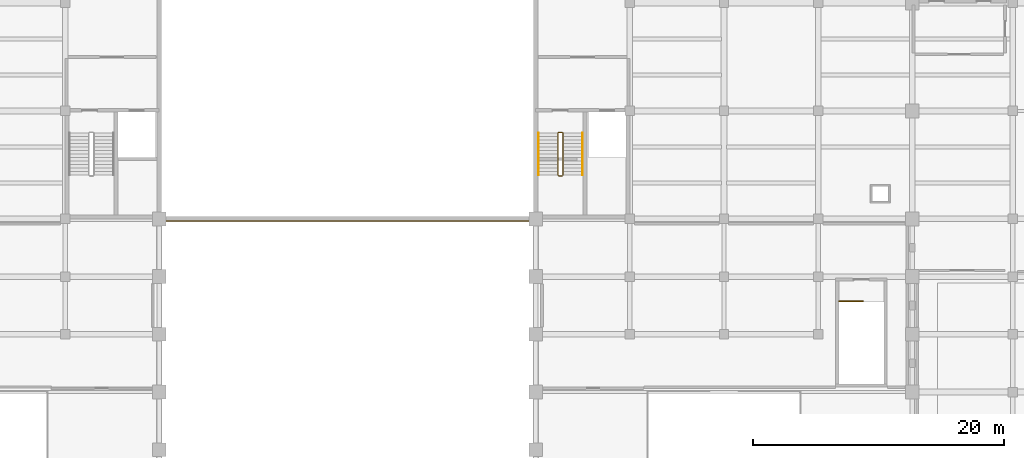
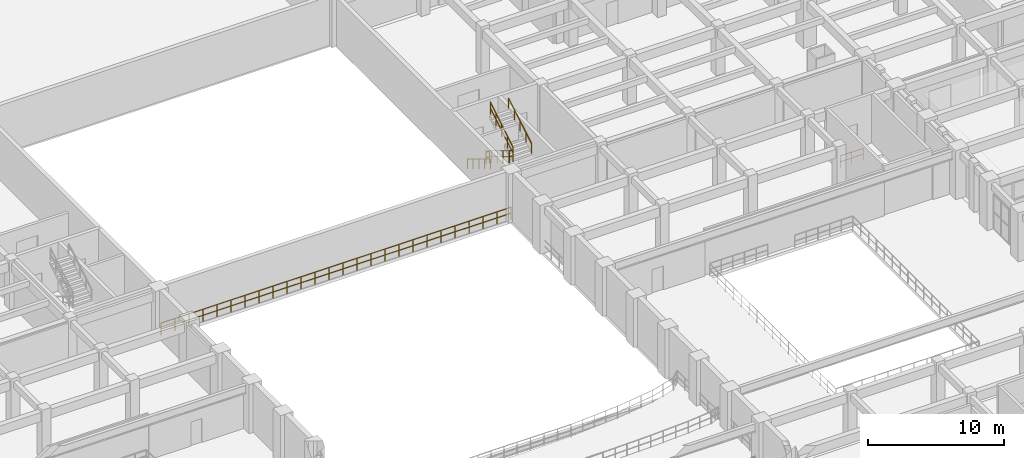
# One storey, part 88 of 90: 8 railings.
"""IFC4 building model written with IfcOpenShell, lengths in metres."""

from ifc_helpers import new_model, si_unit, direction, frame, origin, origin_2d, place, context, subcontext, project, spatial, circle, extrude, material, type_object, element, save


model = new_model("IFC4")

# Units and contexts
model_context = context("Model", 3, precision=1e-05, world=origin(), true_north=direction((0.0, 1.0)))
body_context = subcontext(model_context, "Body", "Model", "MODEL_VIEW")
ifc_project = project(units=[si_unit("LENGTHUNIT", "METRE"), si_unit("AREAUNIT", "SQUARE_METRE"), si_unit("VOLUMEUNIT", "CUBIC_METRE"), si_unit("PLANEANGLEUNIT", "RADIAN"), si_unit("MASSUNIT", "GRAM", prefix="KILO")], contexts=[model_context])

# Site, building, storey
site_placement = place(None, origin())
site = spatial("IfcSite", under=ifc_project, at=site_placement, CompositionType="ELEMENT")
building_placement = place(site_placement, origin())
building = spatial("IfcBuilding", under=site, at=building_placement, Name="Muzn Square Opera House", CompositionType="ELEMENT")
storey_placement = place(building_placement, frame((0.0, 0.0, 9.800048828125)))
storey = spatial("IfcBuildingStorey", under=building, at=storey_placement, Name="L02", CompositionType="ELEMENT", Elevation=9.800048828125)

# Railings
ifc_material_1 = material(Name="Architectural bronze mashrabiya", Category="metal")
railing_type_1 = type_object("IfcRailingType", Name="Bronze Protective Balustrade 1120mm", PredefinedType="BALUSTRADE", material=ifc_material_1)
railing_1_placement = place(storey_placement, frame((102.8701171875, 72.429931640625, 0.0)))
element("IfcRailing", 1, at=railing_1_placement, inside=storey, type_object=railing_type_1, Name="Void Edge Balustrade L02-0031", PredefinedType="BALUSTRADE", context=body_context, shape_type="SweptSolid", body=[
    extrude(circle(Radius=0.02392578125, at=origin_2d()), frame((0.0, 0.0, 1.09619140625), z_axis=(-1.0, 0.0, 0.0), x_axis=(0.0, -1.0, 0.0)), (0.0, 0.0, 1.0), 29.740234375),
    extrude(circle(Radius=0.02392578125, at=origin_2d()), frame((0.0, 0.0, 0.56005859375), z_axis=(-1.0, 0.0, 0.0), x_axis=(0.0, -1.0, 0.0)), (0.0, 0.0, 1.0), 29.740234375),
    extrude(circle(Radius=0.02099609375, at=origin_2d()), origin(), (0.0, 0.0, 1.0), 1.072021484375),
    extrude(circle(Radius=0.02099609375, at=origin_2d()), frame((-1.189697265625, 0.0, 0.0)), (0.0, 0.0, 1.0), 1.072021484375),
    extrude(circle(Radius=0.02099609375, at=origin_2d()), frame((-2.379150390625, 0.0, 0.0)), (0.0, 0.0, 1.0), 1.072021484375),
    extrude(circle(Radius=0.02099609375, at=origin_2d()), frame((-3.56884765625, 0.0, 0.0)), (0.0, 0.0, 1.0), 1.072021484375),
    extrude(circle(Radius=0.02099609375, at=origin_2d()), frame((-4.758544921875, 0.0, 0.0)), (0.0, 0.0, 1.0), 1.072021484375),
    extrude(circle(Radius=0.02099609375, at=origin_2d()), frame((-5.947998046875, 0.0, 0.0)), (0.0, 0.0, 1.0), 1.072021484375),
    extrude(circle(Radius=0.02099609375, at=origin_2d()), frame((-7.1376953125, 0.0, 0.0)), (0.0, 0.0, 1.0), 1.072021484375),
    extrude(circle(Radius=0.02099609375, at=origin_2d()), frame((-8.3271484375, 0.0, 0.0)), (0.0, 0.0, 1.0), 1.072021484375),
    extrude(circle(Radius=0.02099609375, at=origin_2d()), frame((-9.516845703125, 0.0, 0.0)), (0.0, 0.0, 1.0), 1.072021484375),
    extrude(circle(Radius=0.02099609375, at=origin_2d()), frame((-10.70654296875, 0.0, 0.0)), (0.0, 0.0, 1.0), 1.072021484375),
    extrude(circle(Radius=0.02099609375, at=origin_2d()), frame((-11.89599609375, 0.0, 0.0)), (0.0, 0.0, 1.0), 1.072021484375),
    extrude(circle(Radius=0.02099609375, at=origin_2d()), frame((-13.085693359375, 0.0, 0.0)), (0.0, 0.0, 1.0), 1.072021484375),
    extrude(circle(Radius=0.02099609375, at=origin_2d()), frame((-14.275390625, 0.0, 0.0)), (0.0, 0.0, 1.0), 1.072021484375),
    extrude(circle(Radius=0.02099609375, at=origin_2d()), frame((-15.46484375, 0.0, 0.0)), (0.0, 0.0, 1.0), 1.072021484375),
    extrude(circle(Radius=0.02099609375, at=origin_2d()), frame((-16.654541015625, 0.0, 0.0)), (0.0, 0.0, 1.0), 1.072021484375),
    extrude(circle(Radius=0.02099609375, at=origin_2d()), frame((-17.84423828125, 0.0, 0.0)), (0.0, 0.0, 1.0), 1.072021484375),
    extrude(circle(Radius=0.02099609375, at=origin_2d()), frame((-19.03369140625, 0.0, 0.0)), (0.0, 0.0, 1.0), 1.072021484375),
    extrude(circle(Radius=0.02099609375, at=origin_2d()), frame((-20.223388671875, 0.0, 0.0)), (0.0, 0.0, 1.0), 1.072021484375),
    extrude(circle(Radius=0.02099609375, at=origin_2d()), frame((-21.4130859375, 0.0, 0.0)), (0.0, 0.0, 1.0), 1.072021484375),
    extrude(circle(Radius=0.02099609375, at=origin_2d()), frame((-22.6025390625, 0.0, 0.0)), (0.0, 0.0, 1.0), 1.072021484375),
    extrude(circle(Radius=0.02099609375, at=origin_2d()), frame((-23.792236328125, 0.0, 0.0)), (0.0, 0.0, 1.0), 1.072021484375),
    extrude(circle(Radius=0.02099609375, at=origin_2d()), frame((-24.981689453125, 0.0, 0.0)), (0.0, 0.0, 1.0), 1.072021484375),
    extrude(circle(Radius=0.02099609375, at=origin_2d()), frame((-26.17138671875, 0.0, 0.0)), (0.0, 0.0, 1.0), 1.072021484375),
    extrude(circle(Radius=0.02099609375, at=origin_2d()), frame((-27.361083984375, 0.0, 0.0)), (0.0, 0.0, 1.0), 1.072021484375),
    extrude(circle(Radius=0.02099609375, at=origin_2d()), frame((-28.550537109375, 0.0, 0.0)), (0.0, 0.0, 1.0), 1.072021484375),
    extrude(circle(Radius=0.02099609375, at=origin_2d()), frame((-29.740234375, 0.0, 0.0)), (0.0, 0.0, 1.0), 1.072021484375),
])
ifc_material_2 = material(Name="Brushed stainless steel", Category="metal")
railing_type_2 = type_object("IfcRailingType", Name="Stair Guard Railing 1120mm", PredefinedType="GUARDRAIL", material=ifc_material_2)
railing_2_placement = place(storey_placement, frame((104.780029296875, 79.43994140625, 0.169189453125)))
element("IfcRailing", 2, at=railing_2_placement, inside=storey, type_object=railing_type_2, Name="L02 ST-2 stair guard 1", PredefinedType="GUARDRAIL", context=body_context, shape_type="SweptSolid", body=[
    extrude(circle(Radius=0.02392578125, at=origin_2d()), frame((0.0, 0.0, 1.076171875), z_axis=(0.0, -0.855820338506, 0.51727318527), x_axis=(1.0, 0.0, 0.0)), (0.0, 0.0, 1.0), 3.92578125),
    extrude(circle(Radius=0.02392578125, at=origin_2d()), frame((0.0, 0.0, 0.550048828125), z_axis=(0.0, -0.855820338506, 0.51727318527), x_axis=(1.0, 0.0, 0.0)), (0.0, 0.0, 1.0), 3.92578125),
    extrude(circle(Radius=0.02099609375, at=origin_2d()), origin(), (0.0, 0.0, 1.0), 1.052001953125),
    extrude(circle(Radius=0.02099609375, at=origin_2d()), frame((0.0, -0.83984375, 0.5078125)), (0.0, 0.0, 1.0), 1.052001953125),
    extrude(circle(Radius=0.02099609375, at=origin_2d()), frame((0.0, -1.679931640625, 1.015380859375)), (0.0, 0.0, 1.0), 1.052001953125),
    extrude(circle(Radius=0.02099609375, at=origin_2d()), frame((0.0, -2.52001953125, 1.52294921875)), (0.0, 0.0, 1.0), 1.052001953125),
    extrude(circle(Radius=0.02099609375, at=origin_2d()), frame((0.0, -3.35986328125, 2.03076171875)), (0.0, 0.0, 1.0), 1.052001953125),
])
railing_3_placement = place(storey_placement, frame((104.830078125, 76.030029296875, 2.199951171875)))
element("IfcRailing", 3, at=railing_3_placement, inside=storey, type_object=railing_type_2, Name="L02 ST-2 stair guard 2", PredefinedType="GUARDRAIL", context=body_context, shape_type="SweptSolid", body=[
    extrude(circle(Radius=0.02392578125, at=origin_2d()), frame((0.0, 0.0, 1.076171875), z_axis=(1.0, 0.0, 0.0), x_axis=(0.0, 1.0, 0.0)), (0.0, 0.0, 1.0), 0.280029296875),
    extrude(circle(Radius=0.02392578125, at=origin_2d()), frame((0.0, 0.0, 0.550048828125), z_axis=(1.0, 0.0, 0.0), x_axis=(0.0, 1.0, 0.0)), (0.0, 0.0, 1.0), 0.280029296875),
    extrude(circle(Radius=0.02099609375, at=origin_2d()), origin(), (0.0, 0.0, 1.0), 1.052001953125),
    extrude(circle(Radius=0.02099609375, at=origin_2d()), frame((0.280029296875, 0.0, 0.0)), (0.0, 0.0, 1.0), 1.052001953125),
])
railing_4_placement = place(storey_placement, frame((105.159912109375, 76.080078125, 2.369140625)))
element("IfcRailing", 4, at=railing_4_placement, inside=storey, type_object=railing_type_2, Name="L02 ST-2 stair guard 3", PredefinedType="GUARDRAIL", context=body_context, shape_type="SweptSolid", body=[
    extrude(circle(Radius=0.02392578125, at=origin_2d()), frame((0.0, 0.0, 1.076171875), z_axis=(0.0, 0.855820338506, 0.51727318527), x_axis=(-1.0, 0.0, 0.0)), (0.0, 0.0, 1.0), 3.92578125),
    extrude(circle(Radius=0.02392578125, at=origin_2d()), frame((0.0, 0.0, 0.550048828125), z_axis=(0.0, 0.855820338506, 0.51727318527), x_axis=(-1.0, 0.0, 0.0)), (0.0, 0.0, 1.0), 3.92578125),
    extrude(circle(Radius=0.02099609375, at=origin_2d()), origin(), (0.0, 0.0, 1.0), 1.052001953125),
    extrude(circle(Radius=0.02099609375, at=origin_2d()), frame((0.0, 0.83984375, 0.5078125)), (0.0, 0.0, 1.0), 1.052001953125),
    extrude(circle(Radius=0.02099609375, at=origin_2d()), frame((0.0, 1.679931640625, 1.015380859375)), (0.0, 0.0, 1.0), 1.052001953125),
    extrude(circle(Radius=0.02099609375, at=origin_2d()), frame((0.0, 2.52001953125, 1.52294921875)), (0.0, 0.0, 1.0), 1.052001953125),
    extrude(circle(Radius=0.02099609375, at=origin_2d()), frame((0.0, 3.35986328125, 2.03076171875)), (0.0, 0.0, 1.0), 1.052001953125),
])
railing_5_placement = place(storey_placement, frame((104.830078125, 79.489990234375, 0.0)))
element("IfcRailing", 5, at=railing_5_placement, inside=storey, type_object=railing_type_2, Name="L02 ST-2 stair guard 4", PredefinedType="GUARDRAIL", context=body_context, shape_type="SweptSolid", body=[
    extrude(circle(Radius=0.02392578125, at=origin_2d()), frame((0.0, 0.0, 1.076171875), z_axis=(1.0, 0.0, 0.0), x_axis=(0.0, 1.0, 0.0)), (0.0, 0.0, 1.0), 0.280029296875),
    extrude(circle(Radius=0.02392578125, at=origin_2d()), frame((0.0, 0.0, 0.550048828125), z_axis=(1.0, 0.0, 0.0), x_axis=(0.0, 1.0, 0.0)), (0.0, 0.0, 1.0), 0.280029296875),
    extrude(circle(Radius=0.02099609375, at=origin_2d()), origin(), (0.0, 0.0, 1.0), 1.052001953125),
    extrude(circle(Radius=0.02099609375, at=origin_2d()), frame((0.280029296875, 0.0, 0.0)), (0.0, 0.0, 1.0), 1.052001953125),
])
railing_6_placement = place(storey_placement, frame((127.14990234375, 66.0400390625, 0.0)))
element("IfcRailing", 6, at=railing_6_placement, inside=storey, type_object=railing_type_2, Name="L02 ST-10 top well guard 1", PredefinedType="GUARDRAIL", context=body_context, shape_type="SweptSolid", body=[
    extrude(circle(Radius=0.02392578125, at=origin_2d()), frame((0.0, 0.0, 1.076171875), z_axis=(1.0, 0.0, 0.0), x_axis=(0.0, 1.0, 0.0)), (0.0, 0.0, 1.0), 1.940185546875),
    extrude(circle(Radius=0.02392578125, at=origin_2d()), frame((0.0, 0.0, 0.550048828125), z_axis=(1.0, 0.0, 0.0), x_axis=(0.0, 1.0, 0.0)), (0.0, 0.0, 1.0), 1.940185546875),
    extrude(circle(Radius=0.02099609375, at=origin_2d()), origin(), (0.0, 0.0, 1.0), 1.052001953125),
    extrude(circle(Radius=0.02099609375, at=origin_2d()), frame((0.97021484375, 0.0, 0.0)), (0.0, 0.0, 1.0), 1.052001953125),
    extrude(circle(Radius=0.02099609375, at=origin_2d()), frame((1.940185546875, 0.0, 0.0)), (0.0, 0.0, 1.0), 1.052001953125),
])
railing_type_3 = type_object("IfcRailingType", Name="Stair Pitch Handrail 900mm", PredefinedType="HANDRAIL", material=ifc_material_2)
railing_7_placement = place(storey_placement, frame((103.219970703125, 79.43994140625, 0.169189453125)))
element("IfcRailing", 7, at=railing_7_placement, inside=storey, type_object=railing_type_3, Name="L02 ST-2 stair handrail 1", PredefinedType="HANDRAIL", context=body_context, shape_type="SweptSolid", body=[
    extrude(circle(Radius=0.02392578125, at=origin_2d()), frame((0.0, 0.0, 0.8759765625), z_axis=(0.0, -0.855820338506, 0.51727318527), x_axis=(1.0, 0.0, 0.0)), (0.0, 0.0, 1.0), 3.92578125),
    extrude(circle(Radius=0.02099609375, at=origin_2d()), origin(), (0.0, 0.0, 1.0), 0.851806640625),
    extrude(circle(Radius=0.02099609375, at=origin_2d()), frame((0.0, -0.83984375, 0.5078125)), (0.0, 0.0, 1.0), 0.851806640625),
    extrude(circle(Radius=0.02099609375, at=origin_2d()), frame((0.0, -1.679931640625, 1.015380859375)), (0.0, 0.0, 1.0), 0.851806640625),
    extrude(circle(Radius=0.02099609375, at=origin_2d()), frame((0.0, -2.52001953125, 1.52294921875)), (0.0, 0.0, 1.0), 0.851806640625),
    extrude(circle(Radius=0.02099609375, at=origin_2d()), frame((0.0, -3.35986328125, 2.03076171875)), (0.0, 0.0, 1.0), 0.851806640625),
])
railing_8_placement = place(storey_placement, frame((106.719970703125, 76.080078125, 2.369140625)))
element("IfcRailing", 8, at=railing_8_placement, inside=storey, type_object=railing_type_3, Name="L02 ST-2 stair handrail 2", PredefinedType="HANDRAIL", context=body_context, shape_type="SweptSolid", body=[
    extrude(circle(Radius=0.02392578125, at=origin_2d()), frame((0.0, 0.0, 0.8759765625), z_axis=(0.0, 0.855820338506, 0.51727318527), x_axis=(-1.0, 0.0, 0.0)), (0.0, 0.0, 1.0), 3.92578125),
    extrude(circle(Radius=0.02099609375, at=origin_2d()), origin(), (0.0, 0.0, 1.0), 0.851806640625),
    extrude(circle(Radius=0.02099609375, at=origin_2d()), frame((0.0, 0.83984375, 0.5078125)), (0.0, 0.0, 1.0), 0.851806640625),
    extrude(circle(Radius=0.02099609375, at=origin_2d()), frame((0.0, 1.679931640625, 1.015380859375)), (0.0, 0.0, 1.0), 0.851806640625),
    extrude(circle(Radius=0.02099609375, at=origin_2d()), frame((0.0, 2.52001953125, 1.52294921875)), (0.0, 0.0, 1.0), 0.851806640625),
    extrude(circle(Radius=0.02099609375, at=origin_2d()), frame((0.0, 3.35986328125, 2.03076171875)), (0.0, 0.0, 1.0), 0.851806640625),
])

save(model, "model.ifc")
